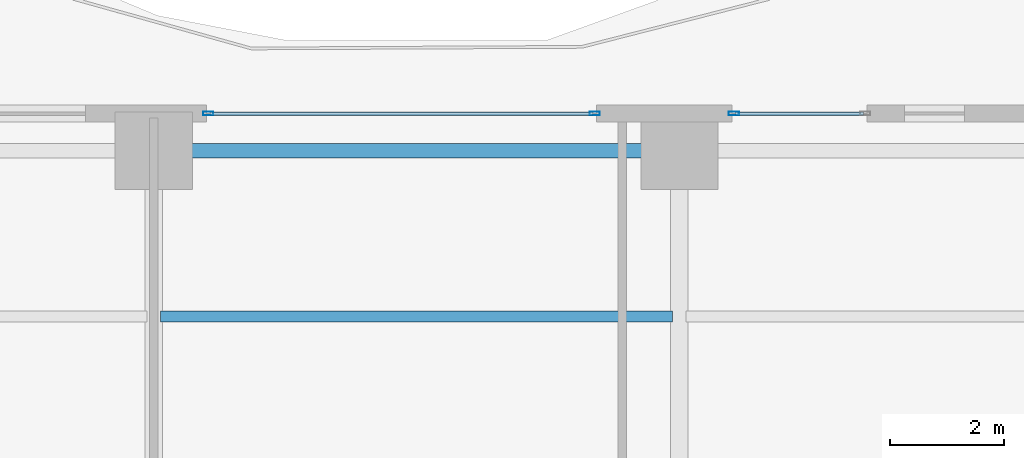
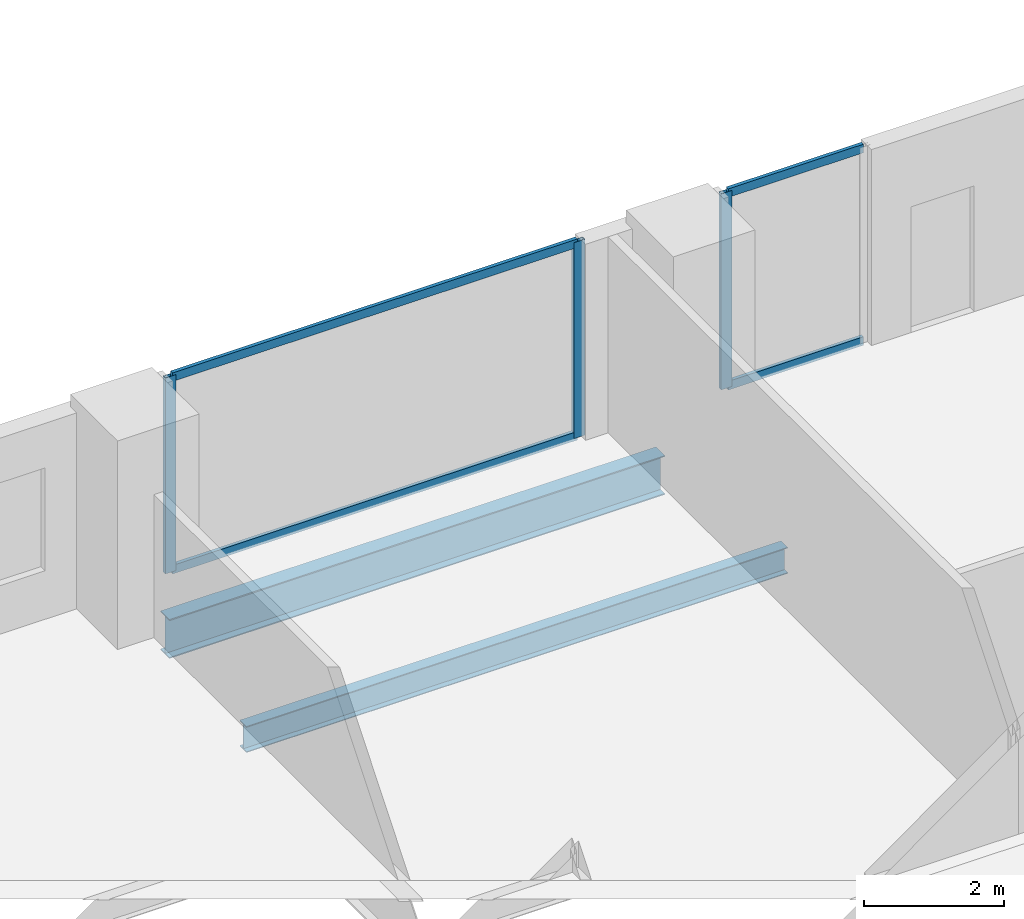
# One storey, part 16 of 28: 7 members, 2 beams, 2 elements without a shape of their own.
"""IFC4 building model written with IfcOpenShell, lengths in metres."""

from ifc_helpers import new_model, si_unit, direction, frame, origin, origin_2d, place, context, subcontext, project, spatial, hollow_rectangle, i_section, extrude, material, layer, layer_set, material_profile, profile_set, type_object, element, aggregate, save


model = new_model("IFC4")

# Units and contexts
model_context = context("Model", 3, precision=1e-05, world=origin(), true_north=direction((0.0, 1.0)))
body_context = subcontext(model_context, "Body", "Model", "MODEL_VIEW")
ifc_project = project(units=[si_unit("LENGTHUNIT", "METRE"), si_unit("AREAUNIT", "SQUARE_METRE"), si_unit("VOLUMEUNIT", "CUBIC_METRE"), si_unit("PLANEANGLEUNIT", "RADIAN"), si_unit("MASSUNIT", "GRAM", prefix="KILO")], contexts=[model_context])

# Site, building, storey
site_placement = place(None, origin())
site = spatial("IfcSite", under=ifc_project, at=site_placement, CompositionType="ELEMENT")
building_placement = place(site_placement, origin())
building = spatial("IfcBuilding", under=site, at=building_placement, Name="Zuhayl Quay Hotel", CompositionType="ELEMENT")
storey_placement = place(building_placement, frame((0.0, 0.0, 121.199951171875)))
storey = spatial("IfcBuildingStorey", under=building, at=storey_placement, Name="L30", CompositionType="ELEMENT", Elevation=121.199951171875)

# Beams
ifc_material_1 = material(Name="Steel ASTM A992 Grade 50", Category="steel")
ifc_material_profile_1 = material_profile(ifc_material_1, i_section(OverallWidth=0.25390625, OverallDepth=0.68310546875, WebThickness=0.012451171875, FlangeThickness=0.018798828125, at=origin_2d()), Name="W27X94")
ifc_profile_set_1 = profile_set([ifc_material_profile_1], Name="Steel ASTM A992 Grade 50")
beam_type_1 = type_object("IfcBeamType", Name="BM_B2_W27X94", PredefinedType="BEAM", material=ifc_profile_set_1)
beam_1_placement = place(storey_placement, frame((4.10009765625, 27.75, -0.5615234375), z_axis=(-1.0, 0.0, 0.0), x_axis=(0.0, -1.0, 0.0)))
element("IfcBeam", 1, at=beam_1_placement, inside=storey, type_object=beam_type_1, Name="L30 Floor Beam RG_L30_08", PredefinedType="BEAM", context=body_context, shape_type="SweptSolid", body=[
    extrude(i_section(OverallWidth=0.25390625, OverallDepth=0.68310546875, WebThickness=0.012451171875, FlangeThickness=0.018798828125, at=origin_2d()), origin(), (0.0, 0.0, 1.0), 8.2001953125),
])
ifc_material_profile_2 = material_profile(ifc_material_1, i_section(OverallWidth=0.18994140625, OverallDepth=0.45703125, WebThickness=0.009033203125, FlangeThickness=0.014404296875, at=origin_2d()), Name="W18X50")
ifc_profile_set_2 = profile_set([ifc_material_profile_2], Name="Steel ASTM A992 Grade 50")
beam_type_2 = type_object("IfcBeamType", Name="BM_J2_W18X50", PredefinedType="JOIST", material=ifc_profile_set_2)
beam_2_placement = place(storey_placement, frame((-4.48095703125, 24.85009765625, -0.448486328125), z_axis=(1.0, 0.0, 0.0), x_axis=(0.0, 1.0, 0.0)))
element("IfcBeam", 2, at=beam_2_placement, inside=storey, type_object=beam_type_2, Name="L30 Floor Beam FJ_L30_4_2", PredefinedType="JOIST", context=body_context, shape_type="SweptSolid", body=[
    extrude(i_section(OverallWidth=0.18994140625, OverallDepth=0.45703125, WebThickness=0.009033203125, FlangeThickness=0.014404296875, at=origin_2d()), origin(), (0.0, 0.0, 1.0), 8.9619140625),
])

# Curtain wall, members
ifc_material_2 = material(Name="Anodised Aluminium 6063-T6", Category="aluminium")
ifc_layer = layer(ifc_material_2, 0.179931640625, Name="Anodised Aluminium 6063-T6", Category="aluminium")
ifc_layer_set = layer_set([ifc_layer], Name="Anodised Aluminium 6063-T6")
curtain_wall_type = type_object("IfcCurtainWallType", Name="CW_SYS_Z2", PredefinedType="USERDEFINED", material=ifc_layer_set)
curtain_wall_1_placement = place(storey_placement, origin())
curtain_wall_1 = element("IfcCurtainWall", 3, at=curtain_wall_1_placement, inside=storey, type_object=curtain_wall_type, Name="L30 Curtain Wall ENV_L30_N_CW2", ObjectType="UNITISED CURTAIN WALL", PredefinedType="USERDEFINED")
ifc_material_3 = material(Name="Black-anodised aluminium 6063-T6", Category="aluminium")
ifc_material_profile_3 = material_profile(ifc_material_3, hollow_rectangle(XDim=0.06494140625, YDim=0.179931640625, WallThickness=0.00341796875, at=origin_2d()), Name="ALU180X65")
ifc_profile_set_3 = profile_set([ifc_material_profile_3], Name="Black-anodised aluminium 6063-T6")
member_type_1 = type_object("IfcMemberType", Name="MB_CW_MUL_180", PredefinedType="MULLION", material=ifc_profile_set_3)
member_1_placement = place(storey_placement, frame((-3.6474609375, 28.39990234375, 0.0), z_axis=(0.0, 0.0, 1.0), x_axis=(0.0, 1.0, 0.0)))
member_1 = element("IfcMember", 4, at=member_1_placement, type_object=member_type_1, Name="CW-Z2 mullion 1", PredefinedType="MULLION", context=body_context, shape_type="SweptSolid", body=[
    extrude(hollow_rectangle(XDim=0.06494140625, YDim=0.179931640625, WallThickness=0.00341796875, at=origin_2d()), origin(), (0.0, 0.0, 1.0), 3.429931640625),
])
member_2_placement = place(storey_placement, frame((3.117431640625, 28.39990234375, 0.0), z_axis=(0.0, 0.0, 1.0), x_axis=(0.0, 1.0, 0.0)))
member_2 = element("IfcMember", 5, at=member_2_placement, type_object=member_type_1, Name="CW-Z2 mullion 2", PredefinedType="MULLION", context=body_context, shape_type="SweptSolid", body=[
    extrude(hollow_rectangle(XDim=0.06494140625, YDim=0.179931640625, WallThickness=0.00341796875, at=origin_2d()), origin(), (0.0, 0.0, 1.0), 3.429931640625),
])

# Curtain wall, member
curtain_wall_2_placement = place(storey_placement, origin())
curtain_wall_2 = element("IfcCurtainWall", 6, at=curtain_wall_2_placement, inside=storey, type_object=curtain_wall_type, Name="L30 Curtain Wall ENV_L30_N_CW3", ObjectType="UNITISED CURTAIN WALL", PredefinedType="USERDEFINED")
member_3_placement = place(storey_placement, frame((5.552490234375, 28.39990234375, 0.0), z_axis=(0.0, 0.0, 1.0), x_axis=(0.0, 1.0, 0.0)))
member_3 = element("IfcMember", 7, at=member_3_placement, type_object=member_type_1, Name="CW-Z2 mullion 1", PredefinedType="MULLION", context=body_context, shape_type="SweptSolid", body=[
    extrude(hollow_rectangle(XDim=0.06494140625, YDim=0.179931640625, WallThickness=0.00341796875, at=origin_2d()), origin(), (0.0, 0.0, 1.0), 3.429931640625),
])

# Member
ifc_material_profile_4 = material_profile(ifc_material_3, hollow_rectangle(XDim=0.06005859375, YDim=0.14990234375, WallThickness=0.00341796875, at=origin_2d()), Name="ALU150X60")
ifc_profile_set_4 = profile_set([ifc_material_profile_4], Name="Black-anodised aluminium 6063-T6")
member_type_2 = type_object("IfcMemberType", Name="MB_CW_TRN_150", PredefinedType="USERDEFINED", material=ifc_profile_set_4)
member_4_placement = place(storey_placement, frame((-3.614990234375, 28.39990234375, 0.030029296875), z_axis=(1.0, 0.0, 0.0), x_axis=(0.0, 1.0, 0.0)))
member_4 = element("IfcMember", 8, at=member_4_placement, type_object=member_type_2, Name="CW-Z2 transom 1.1", ObjectType="TRANSOM", PredefinedType="USERDEFINED", context=body_context, shape_type="SweptSolid", body=[
    extrude(hollow_rectangle(XDim=0.06005859375, YDim=0.14990234375, WallThickness=0.00341796875, at=origin_2d()), origin(), (0.0, 0.0, 1.0), 6.699951171875),
])

member_5_placement = place(storey_placement, frame((-3.614990234375, 28.39990234375, 3.400146484375), z_axis=(1.0, 0.0, 0.0), x_axis=(0.0, 1.0, 0.0)))
member_5 = element("IfcMember", 9, at=member_5_placement, type_object=member_type_2, Name="CW-Z2 transom 1.2", ObjectType="TRANSOM", PredefinedType="USERDEFINED", context=body_context, shape_type="SweptSolid", body=[
    extrude(hollow_rectangle(XDim=0.06005859375, YDim=0.14990234375, WallThickness=0.00341796875, at=origin_2d()), origin(), (0.0, 0.0, 1.0), 6.699951171875),
])

aggregate(curtain_wall_1, [member_1, member_2, member_4, member_5])

member_6_placement = place(storey_placement, frame((5.5849609375, 28.39990234375, 0.030029296875), z_axis=(1.0, 0.0, 0.0), x_axis=(0.0, 1.0, 0.0)))
member_6 = element("IfcMember", 10, at=member_6_placement, type_object=member_type_2, Name="CW-Z2 transom 1.1", ObjectType="TRANSOM", PredefinedType="USERDEFINED", context=body_context, shape_type="SweptSolid", body=[
    extrude(hollow_rectangle(XDim=0.06005859375, YDim=0.14990234375, WallThickness=0.00341796875, at=origin_2d()), origin(), (0.0, 0.0, 1.0), 2.235107421875),
])

member_7_placement = place(storey_placement, frame((5.5849609375, 28.39990234375, 3.400146484375), z_axis=(1.0, 0.0, 0.0), x_axis=(0.0, 1.0, 0.0)))
member_7 = element("IfcMember", 11, at=member_7_placement, type_object=member_type_2, Name="CW-Z2 transom 1.2", ObjectType="TRANSOM", PredefinedType="USERDEFINED", context=body_context, shape_type="SweptSolid", body=[
    extrude(hollow_rectangle(XDim=0.06005859375, YDim=0.14990234375, WallThickness=0.00341796875, at=origin_2d()), origin(), (0.0, 0.0, 1.0), 2.235107421875),
])

aggregate(curtain_wall_2, [member_3, member_6, member_7])

save(model, "model.ifc")
